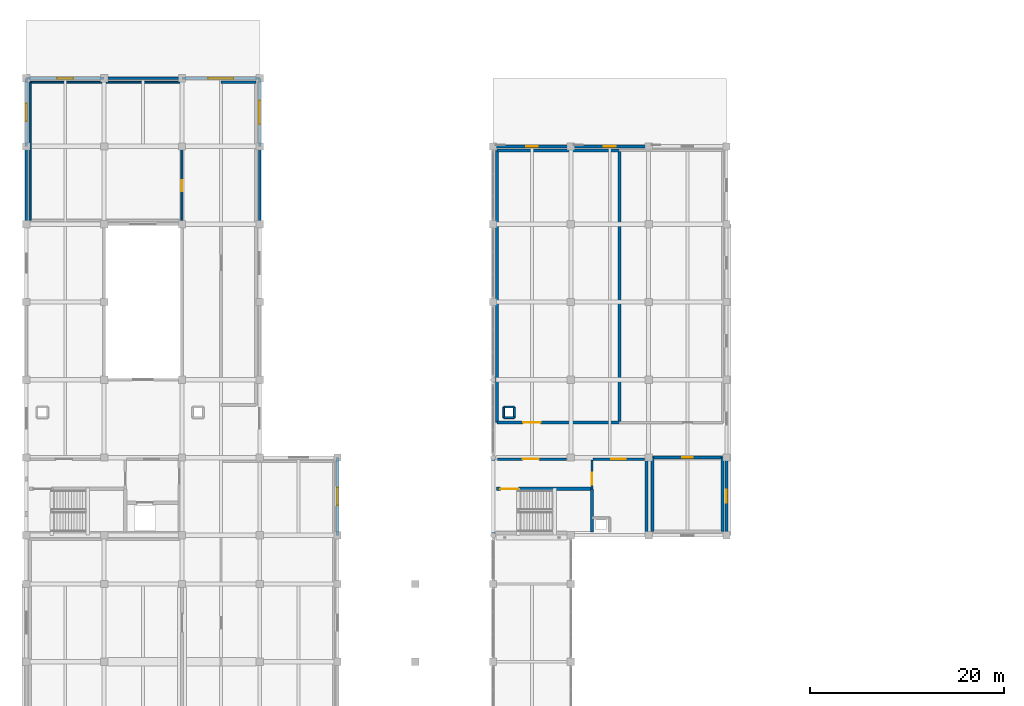
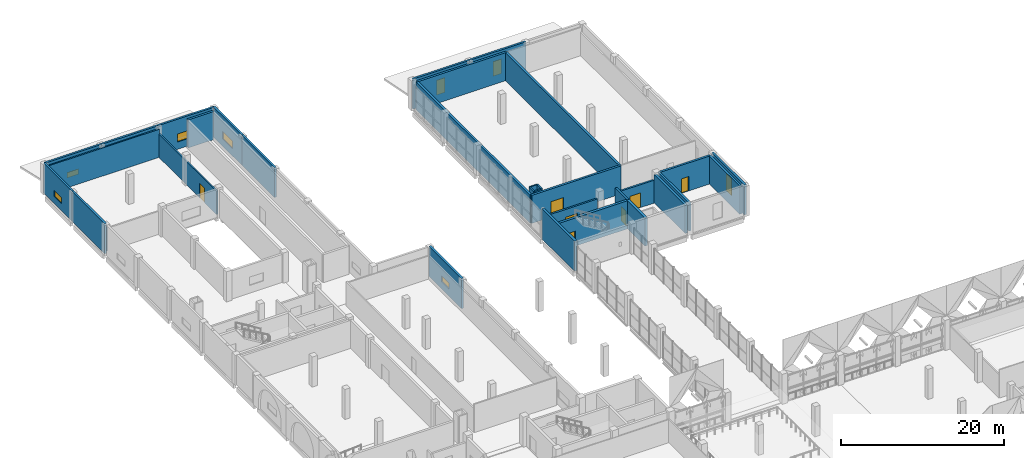
# One storey, part 33 of 53: 33 walls, 8 windows, 7 doors, 15 openings.
"""IFC4 building model written with IfcOpenShell, lengths in metres."""

from ifc_helpers import new_model, si_unit, direction, frame, frame_2d, origin, place, context, subcontext, project, spatial, rectangle, extrude, material, layer, layer_set, type_object, element, fill, save


model = new_model("IFC4")

# Units and contexts
model_context = context("Model", 3, precision=1e-05, world=origin(), true_north=direction((0.0, 1.0)))
body_context = subcontext(model_context, "Body", "Model", "MODEL_VIEW")
ifc_project = project(units=[si_unit("LENGTHUNIT", "METRE"), si_unit("AREAUNIT", "SQUARE_METRE"), si_unit("VOLUMEUNIT", "CUBIC_METRE"), si_unit("PLANEANGLEUNIT", "RADIAN"), si_unit("MASSUNIT", "GRAM", prefix="KILO")], contexts=[model_context])

# Site, building, storey
site_placement = place(None, origin())
site = spatial("IfcSite", under=ifc_project, at=site_placement, CompositionType="ELEMENT")
building_placement = place(site_placement, origin())
building = spatial("IfcBuilding", under=site, at=building_placement, Name="Qorikala Patio Media Centre", CompositionType="ELEMENT")
storey_placement = place(building_placement, frame((0.0, 0.0, 5.39990234375)))
storey = spatial("IfcBuildingStorey", under=building, at=storey_placement, Name="L01", CompositionType="ELEMENT", Elevation=5.39990234375)

# Walls
ifc_material_1 = material(Name="Concrete C35/45", Category="concrete")
ifc_layer_1 = layer(ifc_material_1, 0.300048828125)
ifc_layer_set_1 = layer_set([ifc_layer_1], Name="Concrete C35/45")
wall_type_1 = type_object("IfcWallType", Name="WL-AC-300", PredefinedType="SHEAR", material=ifc_layer_set_1)
wall_1_placement = place(storey_placement, frame((23.0, 110.60009765625, 0.0), z_axis=(0.0, 0.0, 1.0), x_axis=(1.0, 0.0, 0.0)))
element("IfcWall", 1, at=wall_1_placement, inside=storey, type_object=wall_type_1, Name="L01 Interior Wall WINT-L01-APP1-N", PredefinedType="SHEAR", context=body_context, shape_type="SweptSolid", body=[
    extrude(rectangle(XDim=3.60009765625, YDim=0.300048828125, at=frame_2d((1.800048828125, 0.0))), origin(), (0.0, 0.0, 1.0), 4.2001953125),
])
wall_2_placement = place(storey_placement, frame((74.60009765625, 64.39990234375, 0.0), z_axis=(0.0, 0.0, 1.0), x_axis=(0.0, 1.0, 0.0)))
element("IfcWall", 2, at=wall_2_placement, inside=storey, type_object=wall_type_1, Name="L01 Interior Wall WINT-L01-ADR1-E", PredefinedType="SHEAR", context=body_context, shape_type="SweptSolid", body=[
    extrude(rectangle(XDim=7.60009765625, YDim=0.300048828125, at=frame_2d((3.800048828125, 0.0))), origin(), (0.0, 0.0, 1.0), 4.2001953125),
])

# Wall, opening, door
wall_3_placement = place(storey_placement, frame((67.39990234375, 72.0, 0.0), z_axis=(0.0, 0.0, 1.0), x_axis=(1.0, 0.0, 0.0)))
wall_3 = element("IfcWall", 3, at=wall_3_placement, inside=storey, type_object=wall_type_1, Name="L01 Interior Wall WINT-L01-ADR1-N", PredefinedType="SHEAR", context=body_context, shape_type="SweptSolid", body=[
    extrude(rectangle(XDim=7.2001953125, YDim=0.300048828125, at=frame_2d((3.60009765625, 0.0))), origin(), (0.0, 0.0, 1.0), 4.2001953125),
])
opening_1_placement = place(wall_3_placement, frame((3.074951171875, 0.0, 0.0)))
opening_1 = element("IfcOpeningElement", 4, at=opening_1_placement, cuts=wall_3, Name="Opening D265", PredefinedType="OPENING", context=body_context, shape_type="SweptSolid", body=[
    extrude(rectangle(XDim=1.050048828125, YDim=2.159912109375, at=frame_2d((0.52490234375, 1.080078125))), frame((0.0, 0.159912109375, 0.0), z_axis=(0.0, -1.0, 0.0), x_axis=(1.0, 0.0, 0.0)), (0.0, 0.0, 1.0), 0.320068359375),
])
ifc_material_2 = material(Name="Acoustic Fire Timber and Steel", Category="steel")
door_type_1 = type_object("IfcDoorType", Name="DR-FD60-105X216", OperationType="NOTDEFINED", PredefinedType="DOOR", material=ifc_material_2)
door_1_placement = place(opening_1_placement, origin())
door_1 = element("IfcDoor", 5, at=door_1_placement, inside=storey, type_object=door_type_1, Name="ADR Stage 1 Door 054", OperationType="SINGLE_SWING_RIGHT", OverallHeight=2.159912109375, OverallWidth=1.050048828125, PredefinedType="DOOR", context=body_context, shape_type="SweptSolid", body=[
    extrude(rectangle(XDim=1.050048828125, YDim=2.159912109375, at=frame_2d((0.52490234375, 1.080078125))), frame((0.0, 0.02490234375, 0.0), z_axis=(0.0, -1.0, 0.0), x_axis=(1.0, 0.0, 0.0)), (0.0, 0.0, 1.0), 0.050048828125),
])
fill(opening_1, door_1)

# Wall
wall_4_placement = place(storey_placement, frame((67.39990234375, 64.39990234375, 0.0), z_axis=(0.0, 0.0, 1.0), x_axis=(0.0, 1.0, 0.0)))
element("IfcWall", 6, at=wall_4_placement, inside=storey, type_object=wall_type_1, Name="L01 Interior Wall WINT-L01-ADR1-W", PredefinedType="SHEAR", context=body_context, shape_type="SweptSolid", body=[
    extrude(rectangle(XDim=7.60009765625, YDim=0.300048828125, at=frame_2d((3.800048828125, 0.0))), origin(), (0.0, 0.0, 1.0), 4.2001953125),
])

# Wall, opening, door
wall_5_placement = place(storey_placement, frame((51.39990234375, 75.60009765625, 0.0), z_axis=(0.0, 0.0, 1.0), x_axis=(1.0, 0.0, 0.0)))
wall_5 = element("IfcWall", 7, at=wall_5_placement, inside=storey, type_object=wall_type_1, Name="L01 Interior Wall WINT-L01-REC3-S", PredefinedType="SHEAR", context=body_context, shape_type="SweptSolid", body=[
    extrude(rectangle(XDim=12.60009765625, YDim=0.300048828125, at=frame_2d((6.300048828125, 0.0))), origin(), (0.0, 0.0, 1.0), 4.2001953125),
])
opening_2_placement = place(wall_5_placement, frame((2.68603515625, 0.0, 0.0)))
opening_2 = element("IfcOpeningElement", 8, at=opening_2_placement, cuts=wall_5, Name="Opening D266", PredefinedType="OPENING", context=body_context, shape_type="SweptSolid", body=[
    extrude(rectangle(XDim=1.800048828125, YDim=2.300048828125, at=frame_2d((0.89990234375, 1.14990234375))), frame((0.0, 0.159912109375, 0.0), z_axis=(0.0, -1.0, 0.0), x_axis=(1.0, 0.0, 0.0)), (0.0, 0.0, 1.0), 0.320068359375),
])
ifc_material_3 = material(Name="Powder-Coated Acoustic Fire Steel", Category="steel")
door_type_2 = type_object("IfcDoorType", Name="DR-FD90-180X230", OperationType="DOUBLE_DOOR_SINGLE_SWING", PredefinedType="DOOR", material=ifc_material_3)
door_2_placement = place(opening_2_placement, origin())
door_2 = element("IfcDoor", 9, at=door_2_placement, inside=storey, type_object=door_type_2, Name="Ensemble Recording Studio 3 Door 055", OperationType="DOUBLE_DOOR_SINGLE_SWING", OverallHeight=2.300048828125, OverallWidth=1.800048828125, PredefinedType="DOOR", context=body_context, shape_type="SweptSolid", body=[
    extrude(rectangle(XDim=1.800048828125, YDim=2.300048828125, at=frame_2d((0.89990234375, 1.14990234375))), frame((0.0, 0.02490234375, 0.0), z_axis=(0.0, -1.0, 0.0), x_axis=(1.0, 0.0, 0.0)), (0.0, 0.0, 1.0), 0.050048828125),
])
fill(opening_2, door_2)

# Walls
wall_6_placement = place(storey_placement, frame((64.0, 75.60009765625, 0.0), z_axis=(0.0, 0.0, 1.0), x_axis=(0.0, 1.0, 0.0)))
element("IfcWall", 10, at=wall_6_placement, inside=storey, type_object=wall_type_1, Name="L01 Interior Wall WINT-L01-REC3-E", PredefinedType="SHEAR", context=body_context, shape_type="SweptSolid", body=[
    extrude(rectangle(XDim=28.0, YDim=0.300048828125, at=frame_2d((14.0, 0.0))), origin(), (0.0, 0.0, 1.0), 4.2001953125),
])
wall_7_placement = place(storey_placement, frame((51.39990234375, 103.60009765625, 0.0), z_axis=(0.0, 0.0, 1.0), x_axis=(1.0, 0.0, 0.0)))
element("IfcWall", 11, at=wall_7_placement, inside=storey, type_object=wall_type_1, Name="L01 Interior Wall WINT-L01-REC3-N", PredefinedType="SHEAR", context=body_context, shape_type="SweptSolid", body=[
    extrude(rectangle(XDim=12.60009765625, YDim=0.300048828125, at=frame_2d((6.300048828125, 0.0))), origin(), (0.0, 0.0, 1.0), 4.2001953125),
])
wall_8_placement = place(storey_placement, frame((51.39990234375, 75.60009765625, 0.0), z_axis=(0.0, 0.0, 1.0), x_axis=(0.0, 1.0, 0.0)))
element("IfcWall", 12, at=wall_8_placement, inside=storey, type_object=wall_type_1, Name="L01 Interior Wall WINT-L01-REC3-W", PredefinedType="SHEAR", context=body_context, shape_type="SweptSolid", body=[
    extrude(rectangle(XDim=28.0, YDim=0.300048828125, at=frame_2d((14.0, 0.0))), origin(), (0.0, 0.0, 1.0), 4.2001953125),
])
ifc_layer_2 = layer(ifc_material_1, 0.35009765625)
ifc_layer_set_2 = layer_set([ifc_layer_2], Name="Concrete C35/45")
wall_type_2 = type_object("IfcWallType", Name="WL-CORE-350", PredefinedType="SHEAR", material=ifc_layer_set_2)
wall_9_placement = place(storey_placement, frame((51.0, 64.0, 0.0), z_axis=(0.0, 0.0, 1.0), x_axis=(0.0, 1.0, 0.0)))
element("IfcWall", 13, at=wall_9_placement, inside=storey, type_object=wall_type_2, Name="L01 Core C6 Exterior Shear Wall", PredefinedType="SHEAR", context=body_context, shape_type="SweptSolid", body=[
    extrude(rectangle(XDim=8.0, YDim=0.35009765625, at=frame_2d((4.0, 0.0))), origin(), (0.0, 0.0, 1.0), 4.5),
])
wall_10_placement = place(storey_placement, frame((61.175048828125, 64.35009765625, 0.0), z_axis=(0.0, 0.0, 1.0), x_axis=(0.0, 1.0, 0.0)))
element("IfcWall", 14, at=wall_10_placement, inside=storey, type_object=wall_type_2, Name="L01 Interior Wall CW-L01-C6-SE", PredefinedType="SHEAR", context=body_context, shape_type="SweptSolid", body=[
    extrude(rectangle(XDim=4.4248046875, YDim=0.35009765625, at=frame_2d((2.21240234375, 0.0))), origin(), (0.0, 0.0, 1.0), 4.2001953125),
])
wall_11_placement = place(storey_placement, frame((66.77490234375, 64.199951171875, 0.0), z_axis=(0.0, 0.0, 1.0), x_axis=(0.0, 1.0, 0.0)))
element("IfcWall", 15, at=wall_11_placement, inside=storey, type_object=wall_type_2, Name="L01 Interior Wall CW-L01-C6-EE", PredefinedType="SHEAR", context=body_context, shape_type="SweptSolid", body=[
    extrude(rectangle(XDim=7.60009765625, YDim=0.35009765625, at=frame_2d((3.800048828125, 0.0))), origin(), (0.0, 0.0, 1.0), 4.2001953125),
])

# Wall, opening, door
wall_12_placement = place(storey_placement, frame((51.35009765625, 68.77490234375, 0.0), z_axis=(0.0, 0.0, 1.0), x_axis=(1.0, 0.0, 0.0)))
wall_12 = element("IfcWall", 16, at=wall_12_placement, inside=storey, type_object=wall_type_2, Name="L01 Interior Wall CW-L01-C6-SN", PredefinedType="SHEAR", context=body_context, shape_type="SweptSolid", body=[
    extrude(rectangle(XDim=9.824951171875, YDim=0.35009765625, at=frame_2d((4.91259765625, 0.0))), origin(), (0.0, 0.0, 1.0), 4.2001953125),
])
opening_3_placement = place(wall_12_placement, frame((0.39990234375, 0.0, 0.0)))
opening_3 = element("IfcOpeningElement", 17, at=opening_3_placement, cuts=wall_12, Name="Opening D184", PredefinedType="OPENING", context=body_context, shape_type="SweptSolid", body=[
    extrude(rectangle(XDim=1.85009765625, YDim=2.25, at=frame_2d((0.925048828125, 1.125))), frame((0.0, 0.18505859375, 0.0), z_axis=(0.0, -1.0, 0.0), x_axis=(1.0, 0.0, 0.0)), (0.0, 0.0, 1.0), 0.3701171875),
])
door_type_3 = type_object("IfcDoorType", Name="DR-FD60-185X225", OperationType="DOUBLE_DOOR_SINGLE_SWING", PredefinedType="DOOR", material=ifc_material_3)
door_3_placement = place(opening_3_placement, origin())
door_3 = element("IfcDoor", 18, at=door_3_placement, inside=storey, type_object=door_type_3, Name="L01 Stair ST-6 Fire Door", OperationType="DOUBLE_DOOR_SINGLE_SWING", OverallHeight=2.25, OverallWidth=1.85009765625, PredefinedType="DOOR", context=body_context, shape_type="SweptSolid", body=[
    extrude(rectangle(XDim=1.85009765625, YDim=2.25, at=frame_2d((0.925048828125, 1.125))), frame((0.0, 0.02490234375, 0.0), z_axis=(0.0, -1.0, 0.0), x_axis=(1.0, 0.0, 0.0)), (0.0, 0.0, 1.0), 0.050048828125),
])
fill(opening_3, door_3)

# Wall, opening, window
ifc_material_4 = material(Name="Ivory Lime Stucco and Concrete C35/45", Category="concrete")
ifc_layer_3 = layer(ifc_material_4, 0.320068359375)
ifc_layer_set_3 = layer_set([ifc_layer_3], Name="Ivory Lime Stucco and Concrete C35/45")
wall_type_3 = type_object("IfcWallType", Name="WL-EXT-320", PredefinedType="SOLIDWALL", material=ifc_layer_set_3)
wall_13_placement = place(storey_placement, frame((35.0, 72.0, 0.0), z_axis=(0.0, 0.0, 1.0), x_axis=(0.0, -1.0, 0.0)))
wall_13 = element("IfcWall", 19, at=wall_13_placement, inside=storey, type_object=wall_type_3, Name="L01 Exterior Wall WL-L01-EXT-0029", PredefinedType="SOLIDWALL", context=body_context, shape_type="SweptSolid", body=[
    extrude(rectangle(XDim=8.0, YDim=0.320068359375, at=frame_2d((4.0, 0.0))), origin(), (0.0, 0.0, 1.0), 4.5),
])
opening_4_placement = place(wall_13_placement, frame((3.10009765625, 0.0, 1.10009765625)))
opening_4 = element("IfcOpeningElement", 20, at=opening_4_placement, cuts=wall_13, Name="Opening WL-180", PredefinedType="OPENING", context=body_context, shape_type="SweptSolid", body=[
    extrude(rectangle(XDim=1.800048828125, YDim=0.85009765625, at=frame_2d((0.89990234375, 0.425048828125))), frame((0.0, 0.169921875, 0.0), z_axis=(0.0, -1.0, 0.0), x_axis=(1.0, 0.0, 0.0)), (0.0, 0.0, 1.0), 0.340087890625),
])
ifc_material_5 = material(Name="Acoustic Laminated Low-E Glass", Category="glass")
window_type_1 = type_object("IfcWindowType", Name="WN-CL-180X085", PartitioningType="SINGLE_PANEL", PredefinedType="WINDOW", material=ifc_material_5)
window_1_placement = place(opening_4_placement, origin())
window_1 = element("IfcWindow", 21, at=window_1_placement, inside=storey, type_object=window_type_1, Name="L01 High Acoustic Clerestory Window 0083", OverallHeight=0.85009765625, OverallWidth=1.800048828125, PartitioningType="SINGLE_PANEL", PredefinedType="WINDOW", context=body_context, shape_type="SweptSolid", body=[
    extrude(rectangle(XDim=1.800048828125, YDim=0.85009765625, at=frame_2d((0.89990234375, 0.425048828125))), frame((0.0, 0.030029296875, 0.0), z_axis=(0.0, -1.0, 0.0), x_axis=(1.0, 0.0, 0.0)), (0.0, 0.0, 1.0), 0.06005859375),
])
fill(opening_4, window_1)

# Wall, opening, door
ifc_layer_4 = layer(ifc_material_1, 0.25)
ifc_layer_set_4 = layer_set([ifc_layer_4], Name="Concrete C35/45")
wall_type_4 = type_object("IfcWallType", Name="WL-FFL-250", PredefinedType="PARTITIONING", material=ifc_layer_set_4)
wall_14_placement = place(storey_placement, frame((61.175048828125, 68.77490234375, 0.0), z_axis=(0.0, 0.0, 1.0), x_axis=(0.0, 1.0, 0.0)))
wall_14 = element("IfcWall", 22, at=wall_14_placement, inside=storey, type_object=wall_type_4, Name="L01 Interior Wall CW-L01-C6-LBD", PredefinedType="PARTITIONING", context=body_context, shape_type="SweptSolid", body=[
    extrude(rectangle(XDim=2.97509765625, YDim=0.25, at=frame_2d((1.487548828125, 0.0))), origin(), (0.0, 0.0, 1.0), 4.2001953125),
])
opening_5_placement = place(wall_14_placement, frame((0.449951171875, 0.0, 0.0)))
opening_5 = element("IfcOpeningElement", 23, at=opening_5_placement, cuts=wall_14, Name="Opening D185", PredefinedType="OPENING", context=body_context, shape_type="SweptSolid", body=[
    extrude(rectangle(XDim=1.199951171875, YDim=2.199951171875, at=frame_2d((0.60009765625, 1.10009765625))), frame((0.0, 0.135009765625, 0.0), z_axis=(0.0, -1.0, 0.0), x_axis=(1.0, 0.0, 0.0)), (0.0, 0.0, 1.0), 0.27001953125),
])
door_type_4 = type_object("IfcDoorType", Name="DR-FD60-120X220", OperationType="NOTDEFINED", PredefinedType="DOOR", material=ifc_material_2)
door_4_placement = place(opening_5_placement, origin())
door_4 = element("IfcDoor", 24, at=door_4_placement, inside=storey, type_object=door_type_4, Name="L01 Core C6 Firefighting Lobby Cross Door", OperationType="SINGLE_SWING_LEFT", OverallHeight=2.199951171875, OverallWidth=1.199951171875, PredefinedType="DOOR", context=body_context, shape_type="SweptSolid", body=[
    extrude(rectangle(XDim=1.199951171875, YDim=2.199951171875, at=frame_2d((0.60009765625, 1.10009765625))), frame((0.0, 0.02490234375, 0.0), z_axis=(0.0, -1.0, 0.0), x_axis=(1.0, 0.0, 0.0)), (0.0, 0.0, 1.0), 0.050048828125),
])
fill(opening_5, door_4)

wall_15_placement = place(storey_placement, frame((51.449951171875, 71.85009765625, 0.0), z_axis=(0.0, 0.0, 1.0), x_axis=(1.0, 0.0, 0.0)))
wall_15 = element("IfcWall", 25, at=wall_15_placement, inside=storey, type_object=wall_type_4, Name="L01 Interior Wall CW-L01-C6-CN1", PredefinedType="PARTITIONING", context=body_context, shape_type="SweptSolid", body=[
    extrude(rectangle(XDim=7.10009765625, YDim=0.25, at=frame_2d((3.550048828125, 0.0))), origin(), (0.0, 0.0, 1.0), 3.43505859375),
])
opening_6_placement = place(wall_15_placement, frame((2.60009765625, 0.0, 0.0)))
opening_6 = element("IfcOpeningElement", 26, at=opening_6_placement, cuts=wall_15, Name="Opening D186", PredefinedType="OPENING", context=body_context, shape_type="SweptSolid", body=[
    extrude(rectangle(XDim=1.64990234375, YDim=2.25, at=frame_2d((0.824951171875, 1.125))), frame((0.0, 0.135009765625, 0.0), z_axis=(0.0, -1.0, 0.0), x_axis=(1.0, 0.0, 0.0)), (0.0, 0.0, 1.0), 0.27001953125),
])
door_type_5 = type_object("IfcDoorType", Name="DR-FD60-165X225", OperationType="DOUBLE_DOOR_SINGLE_SWING", PredefinedType="DOOR", material=ifc_material_3)
door_5_placement = place(opening_6_placement, frame((1.64990234375, 0.0, 0.0), z_axis=(0.0, 0.0, 1.0), x_axis=(-1.0, 0.0, 0.0)))
door_5 = element("IfcDoor", 27, at=door_5_placement, inside=storey, type_object=door_type_5, Name="L01 Core C6 Vestibule Door", OperationType="DOUBLE_DOOR_SINGLE_SWING", OverallHeight=2.25, OverallWidth=1.64990234375, PredefinedType="DOOR", context=body_context, shape_type="SweptSolid", body=[
    extrude(rectangle(XDim=1.64990234375, YDim=2.25, at=frame_2d((0.824951171875, 1.125))), frame((0.0, 0.02490234375, 0.0), z_axis=(0.0, -1.0, 0.0), x_axis=(1.0, 0.0, 0.0)), (0.0, 0.0, 1.0), 0.050048828125),
])
fill(opening_6, door_5)

wall_16_placement = place(storey_placement, frame((61.300048828125, 71.85009765625, 0.0), z_axis=(0.0, 0.0, 1.0), x_axis=(1.0, 0.0, 0.0)))
wall_16 = element("IfcWall", 28, at=wall_16_placement, inside=storey, type_object=wall_type_4, Name="L01 Interior Wall CW-L01-C6-CN2", PredefinedType="PARTITIONING", context=body_context, shape_type="SweptSolid", body=[
    extrude(rectangle(XDim=5.25, YDim=0.25, at=frame_2d((2.625, 0.0))), origin(), (0.0, 0.0, 1.0), 3.43505859375),
])
opening_7_placement = place(wall_16_placement, frame((1.85009765625, 0.0, 0.0)))
opening_7 = element("IfcOpeningElement", 29, at=opening_7_placement, cuts=wall_16, Name="Opening D187", PredefinedType="OPENING", context=body_context, shape_type="SweptSolid", body=[
    extrude(rectangle(XDim=1.5, YDim=2.199951171875, at=frame_2d((0.75, 1.10009765625))), frame((0.0, 0.135009765625, 0.0), z_axis=(0.0, -1.0, 0.0), x_axis=(1.0, 0.0, 0.0)), (0.0, 0.0, 1.0), 0.27001953125),
])
door_type_6 = type_object("IfcDoorType", Name="DR-FD60-150X220", OperationType="DOUBLE_DOOR_SINGLE_SWING", PredefinedType="DOOR", material=ifc_material_3)
door_6_placement = place(opening_7_placement, origin())
door_6 = element("IfcDoor", 30, at=door_6_placement, inside=storey, type_object=door_type_6, Name="L01 Core C6 Firefighting Lobby Door", OperationType="DOUBLE_DOOR_SINGLE_SWING", OverallHeight=2.199951171875, OverallWidth=1.5, PredefinedType="DOOR", context=body_context, shape_type="SweptSolid", body=[
    extrude(rectangle(XDim=1.5, YDim=2.199951171875, at=frame_2d((0.75, 1.10009765625))), frame((0.0, 0.02490234375, 0.0), z_axis=(0.0, -1.0, 0.0), x_axis=(1.0, 0.0, 0.0)), (0.0, 0.0, 1.0), 0.050048828125),
])
fill(opening_7, door_6)

# Wall
ifc_material_6 = material(Name="Warm Ochre Lime Stucco and Concrete C35/45", Category="concrete")
ifc_layer_5 = layer(ifc_material_6, 0.280029296875)
ifc_layer_set_5 = layer_set([ifc_layer_5], Name="Warm Ochre Lime Stucco and Concrete C35/45")
wall_type_5 = type_object("IfcWallType", Name="WL-OCHRE-280", PredefinedType="SOLIDWALL", material=ifc_layer_set_5)
wall_17_placement = place(storey_placement, frame((3.0, 96.0, 0.0), z_axis=(0.0, 0.0, 1.0), x_axis=(0.0, 1.0, 0.0)))
element("IfcWall", 31, at=wall_17_placement, inside=storey, type_object=wall_type_5, Name="L01 Exterior Wall WL-L01-EXT-0018", PredefinedType="SOLIDWALL", context=body_context, shape_type="SweptSolid", body=[
    extrude(rectangle(XDim=8.0, YDim=0.280029296875, at=frame_2d((4.0, 0.0))), origin(), (0.0, 0.0, 1.0), 4.5),
])

# Wall, opening, window
wall_18_placement = place(storey_placement, frame((3.0, 104.0, 0.0), z_axis=(0.0, 0.0, 1.0), x_axis=(0.0, 1.0, 0.0)))
wall_18 = element("IfcWall", 32, at=wall_18_placement, inside=storey, type_object=wall_type_5, Name="L01 Exterior Wall WL-L01-EXT-0019", PredefinedType="SOLIDWALL", context=body_context, shape_type="SweptSolid", body=[
    extrude(rectangle(XDim=7.0, YDim=0.280029296875, at=frame_2d((3.5, 0.0))), origin(), (0.0, 0.0, 1.0), 4.5),
])
opening_8_placement = place(wall_18_placement, frame((2.60009765625, 0.0, 1.10009765625)))
opening_8 = element("IfcOpeningElement", 33, at=opening_8_placement, cuts=wall_18, Name="Opening WL-180", PredefinedType="OPENING", context=body_context, shape_type="SweptSolid", body=[
    extrude(rectangle(XDim=1.800048828125, YDim=0.85009765625, at=frame_2d((0.89990234375, 0.425048828125))), frame((0.0, 0.14990234375, 0.0), z_axis=(0.0, -1.0, 0.0), x_axis=(1.0, 0.0, 0.0)), (0.0, 0.0, 1.0), 0.300048828125),
])
window_2_placement = place(opening_8_placement, origin())
window_2 = element("IfcWindow", 34, at=window_2_placement, inside=storey, type_object=window_type_1, Name="L01 High Acoustic Clerestory Window 0076", OverallHeight=0.85009765625, OverallWidth=1.800048828125, PartitioningType="SINGLE_PANEL", PredefinedType="WINDOW", context=body_context, shape_type="SweptSolid", body=[
    extrude(rectangle(XDim=1.800048828125, YDim=0.85009765625, at=frame_2d((0.89990234375, 0.425048828125))), frame((0.0, 0.030029296875, 0.0), z_axis=(0.0, -1.0, 0.0), x_axis=(1.0, 0.0, 0.0)), (0.0, 0.0, 1.0), 0.06005859375),
])
fill(opening_8, window_2)

wall_19_placement = place(storey_placement, frame((3.0, 111.0, 0.0), z_axis=(0.0, 0.0, 1.0), x_axis=(1.0, 0.0, 0.0)))
wall_19 = element("IfcWall", 35, at=wall_19_placement, inside=storey, type_object=wall_type_5, Name="L01 Exterior Wall WL-L01-EXT-0020", PredefinedType="SOLIDWALL", context=body_context, shape_type="SweptSolid", body=[
    extrude(rectangle(XDim=8.0, YDim=0.280029296875, at=frame_2d((4.0, 0.0))), origin(), (0.0, 0.0, 1.0), 4.5),
])
opening_9_placement = place(wall_19_placement, frame((3.175048828125, 0.0, 1.10009765625)))
opening_9 = element("IfcOpeningElement", 36, at=opening_9_placement, cuts=wall_19, Name="Opening WL-165", PredefinedType="OPENING", context=body_context, shape_type="SweptSolid", body=[
    extrude(rectangle(XDim=1.64990234375, YDim=0.800048828125, at=frame_2d((0.824951171875, 0.39990234375))), frame((0.0, 0.14990234375, 0.0), z_axis=(0.0, -1.0, 0.0), x_axis=(1.0, 0.0, 0.0)), (0.0, 0.0, 1.0), 0.300048828125),
])
window_type_2 = type_object("IfcWindowType", Name="WN-CL-165X080", PartitioningType="SINGLE_PANEL", PredefinedType="WINDOW", material=ifc_material_5)
window_3_placement = place(opening_9_placement, origin())
window_3 = element("IfcWindow", 37, at=window_3_placement, inside=storey, type_object=window_type_2, Name="L01 High Acoustic Clerestory Window 0077", OverallHeight=0.800048828125, OverallWidth=1.64990234375, PartitioningType="SINGLE_PANEL", PredefinedType="WINDOW", context=body_context, shape_type="SweptSolid", body=[
    extrude(rectangle(XDim=1.64990234375, YDim=0.800048828125, at=frame_2d((0.824951171875, 0.39990234375))), frame((0.0, 0.030029296875, 0.0), z_axis=(0.0, -1.0, 0.0), x_axis=(1.0, 0.0, 0.0)), (0.0, 0.0, 1.0), 0.06005859375),
])
fill(opening_9, window_3)

# Wall
wall_20_placement = place(storey_placement, frame((11.0, 111.0, 0.0), z_axis=(0.0, 0.0, 1.0), x_axis=(1.0, 0.0, 0.0)))
element("IfcWall", 38, at=wall_20_placement, inside=storey, type_object=wall_type_5, Name="L01 Exterior Wall WL-L01-EXT-0021", PredefinedType="SOLIDWALL", context=body_context, shape_type="SweptSolid", body=[
    extrude(rectangle(XDim=8.0, YDim=0.280029296875, at=frame_2d((4.0, 0.0))), origin(), (0.0, 0.0, 1.0), 4.5),
])

# Wall, opening, window
wall_21_placement = place(storey_placement, frame((19.0, 111.0, 0.0), z_axis=(0.0, 0.0, 1.0), x_axis=(1.0, 0.0, 0.0)))
wall_21 = element("IfcWall", 39, at=wall_21_placement, inside=storey, type_object=wall_type_5, Name="L01 Exterior Wall WL-L01-EXT-0022", PredefinedType="SOLIDWALL", context=body_context, shape_type="SweptSolid", body=[
    extrude(rectangle(XDim=8.0, YDim=0.280029296875, at=frame_2d((4.0, 0.0))), origin(), (0.0, 0.0, 1.0), 4.5),
])
opening_10_placement = place(wall_21_placement, frame((2.699951171875, 0.0, 1.10009765625)))
opening_10 = element("IfcOpeningElement", 40, at=opening_10_placement, cuts=wall_21, Name="Opening WL-260", PredefinedType="OPENING", context=body_context, shape_type="SweptSolid", body=[
    extrude(rectangle(XDim=2.60009765625, YDim=1.199951171875, at=frame_2d((1.300048828125, 0.60009765625))), frame((0.0, 0.14990234375, 0.0), z_axis=(0.0, -1.0, 0.0), x_axis=(1.0, 0.0, 0.0)), (0.0, 0.0, 1.0), 0.300048828125),
])
window_type_3 = type_object("IfcWindowType", Name="WN-CL-260X120", PartitioningType="SINGLE_PANEL", PredefinedType="WINDOW", material=ifc_material_5)
window_4_placement = place(opening_10_placement, origin())
window_4 = element("IfcWindow", 41, at=window_4_placement, inside=storey, type_object=window_type_3, Name="L01 High Acoustic Clerestory Window 0078", OverallHeight=1.199951171875, OverallWidth=2.60009765625, PartitioningType="SINGLE_PANEL", PredefinedType="WINDOW", context=body_context, shape_type="SweptSolid", body=[
    extrude(rectangle(XDim=2.60009765625, YDim=1.199951171875, at=frame_2d((1.300048828125, 0.60009765625))), frame((0.0, 0.030029296875, 0.0), z_axis=(0.0, -1.0, 0.0), x_axis=(1.0, 0.0, 0.0)), (0.0, 0.0, 1.0), 0.06005859375),
])
fill(opening_10, window_4)

wall_22_placement = place(storey_placement, frame((27.0, 111.0, 0.0), z_axis=(0.0, 0.0, 1.0), x_axis=(0.0, -1.0, 0.0)))
wall_22 = element("IfcWall", 42, at=wall_22_placement, inside=storey, type_object=wall_type_5, Name="L01 Exterior Wall WL-L01-EXT-0023", PredefinedType="SOLIDWALL", context=body_context, shape_type="SweptSolid", body=[
    extrude(rectangle(XDim=7.0, YDim=0.280029296875, at=frame_2d((3.5, 0.0))), origin(), (0.0, 0.0, 1.0), 4.5),
])
opening_11_placement = place(wall_22_placement, frame((2.300048828125, 0.0, 1.10009765625)))
opening_11 = element("IfcOpeningElement", 43, at=opening_11_placement, cuts=wall_22, Name="Opening WL-240", PredefinedType="OPENING", context=body_context, shape_type="SweptSolid", body=[
    extrude(rectangle(XDim=2.39990234375, YDim=1.10009765625, at=frame_2d((1.199951171875, 0.550048828125))), frame((0.0, 0.14990234375, 0.0), z_axis=(0.0, -1.0, 0.0), x_axis=(1.0, 0.0, 0.0)), (0.0, 0.0, 1.0), 0.300048828125),
])
window_type_4 = type_object("IfcWindowType", Name="WN-CL-240X110", PartitioningType="SINGLE_PANEL", PredefinedType="WINDOW", material=ifc_material_5)
window_5_placement = place(opening_11_placement, origin())
window_5 = element("IfcWindow", 44, at=window_5_placement, inside=storey, type_object=window_type_4, Name="L01 High Acoustic Clerestory Window 0079", OverallHeight=1.10009765625, OverallWidth=2.39990234375, PartitioningType="SINGLE_PANEL", PredefinedType="WINDOW", context=body_context, shape_type="SweptSolid", body=[
    extrude(rectangle(XDim=2.39990234375, YDim=1.10009765625, at=frame_2d((1.199951171875, 0.550048828125))), frame((0.0, 0.030029296875, 0.0), z_axis=(0.0, -1.0, 0.0), x_axis=(1.0, 0.0, 0.0)), (0.0, 0.0, 1.0), 0.06005859375),
])
fill(opening_11, window_5)

# Wall
wall_23_placement = place(storey_placement, frame((27.0, 104.0, 0.0), z_axis=(0.0, 0.0, 1.0), x_axis=(0.0, -1.0, 0.0)))
element("IfcWall", 45, at=wall_23_placement, inside=storey, type_object=wall_type_5, Name="L01 Exterior Wall WL-L01-EXT-0024", PredefinedType="SOLIDWALL", context=body_context, shape_type="SweptSolid", body=[
    extrude(rectangle(XDim=8.0, YDim=0.280029296875, at=frame_2d((4.0, 0.0))), origin(), (0.0, 0.0, 1.0), 4.5),
])

# Wall, opening, window
wall_24_placement = place(storey_placement, frame((51.0, 104.0, 0.0), z_axis=(0.0, 0.0, 1.0), x_axis=(1.0, 0.0, 0.0)))
wall_24 = element("IfcWall", 46, at=wall_24_placement, inside=storey, type_object=wall_type_5, Name="L01 Exterior Wall WL-L01-EXT-0037", PredefinedType="SOLIDWALL", context=body_context, shape_type="SweptSolid", body=[
    extrude(rectangle(XDim=8.0, YDim=0.280029296875, at=frame_2d((4.0, 0.0))), origin(), (0.0, 0.0, 1.0), 4.5),
])
opening_12_placement = place(wall_24_placement, frame((3.39990234375, 0.0, 0.85009765625)))
opening_12 = element("IfcOpeningElement", 47, at=opening_12_placement, cuts=wall_24, Name="Opening WC-120", PredefinedType="OPENING", context=body_context, shape_type="SweptSolid", body=[
    extrude(rectangle(XDim=1.199951171875, YDim=2.199951171875, at=frame_2d((0.60009765625, 1.10009765625))), frame((0.0, 0.14990234375, 0.0), z_axis=(0.0, -1.0, 0.0), x_axis=(1.0, 0.0, 0.0)), (0.0, 0.0, 1.0), 0.300048828125),
])
ifc_material_7 = material(Name="Bronze Anodised Aluminium and Low-E Glass", Category="aluminium")
window_type_5 = type_object("IfcWindowType", Name="WN-COL-120X220", PartitioningType="SINGLE_PANEL", PredefinedType="WINDOW", material=ifc_material_7)
window_6_placement = place(opening_12_placement, origin())
window_6 = element("IfcWindow", 48, at=window_6_placement, inside=storey, type_object=window_type_5, Name="L01 Colonial Tall Window 0086", OverallHeight=2.199951171875, OverallWidth=1.199951171875, PartitioningType="SINGLE_PANEL", PredefinedType="WINDOW", context=body_context, shape_type="SweptSolid", body=[
    extrude(rectangle(XDim=1.199951171875, YDim=2.199951171875, at=frame_2d((0.60009765625, 1.10009765625))), frame((0.0, 0.030029296875, 0.0), z_axis=(0.0, -1.0, 0.0), x_axis=(1.0, 0.0, 0.0)), (0.0, 0.0, 1.0), 0.06005859375),
])
fill(opening_12, window_6)

wall_25_placement = place(storey_placement, frame((59.0, 104.0, 0.0), z_axis=(0.0, 0.0, 1.0), x_axis=(1.0, 0.0, 0.0)))
wall_25 = element("IfcWall", 49, at=wall_25_placement, inside=storey, type_object=wall_type_5, Name="L01 Exterior Wall WL-L01-EXT-0038", PredefinedType="SOLIDWALL", context=body_context, shape_type="SweptSolid", body=[
    extrude(rectangle(XDim=8.0, YDim=0.280029296875, at=frame_2d((4.0, 0.0))), origin(), (0.0, 0.0, 1.0), 4.5),
])
opening_13_placement = place(wall_25_placement, frame((3.39990234375, 0.0, 0.85009765625)))
opening_13 = element("IfcOpeningElement", 50, at=opening_13_placement, cuts=wall_25, Name="Opening WC-120", PredefinedType="OPENING", context=body_context, shape_type="SweptSolid", body=[
    extrude(rectangle(XDim=1.199951171875, YDim=2.199951171875, at=frame_2d((0.60009765625, 1.10009765625))), frame((0.0, 0.14990234375, 0.0), z_axis=(0.0, -1.0, 0.0), x_axis=(1.0, 0.0, 0.0)), (0.0, 0.0, 1.0), 0.300048828125),
])
window_7_placement = place(opening_13_placement, origin())
window_7 = element("IfcWindow", 51, at=window_7_placement, inside=storey, type_object=window_type_5, Name="L01 Colonial Tall Window 0087", OverallHeight=2.199951171875, OverallWidth=1.199951171875, PartitioningType="SINGLE_PANEL", PredefinedType="WINDOW", context=body_context, shape_type="SweptSolid", body=[
    extrude(rectangle(XDim=1.199951171875, YDim=2.199951171875, at=frame_2d((0.60009765625, 1.10009765625))), frame((0.0, 0.030029296875, 0.0), z_axis=(0.0, -1.0, 0.0), x_axis=(1.0, 0.0, 0.0)), (0.0, 0.0, 1.0), 0.06005859375),
])
fill(opening_13, window_7)

wall_26_placement = place(storey_placement, frame((75.0, 72.0, 0.0), z_axis=(0.0, 0.0, 1.0), x_axis=(0.0, -1.0, 0.0)))
wall_26 = element("IfcWall", 52, at=wall_26_placement, inside=storey, type_object=wall_type_5, Name="L01 Exterior Wall WL-L01-EXT-0044", PredefinedType="SOLIDWALL", context=body_context, shape_type="SweptSolid", body=[
    extrude(rectangle(XDim=8.0, YDim=0.280029296875, at=frame_2d((4.0, 0.0))), origin(), (0.0, 0.0, 1.0), 4.5),
])
opening_14_placement = place(wall_26_placement, frame((3.330078125, 0.0, 0.85009765625)))
opening_14 = element("IfcOpeningElement", 53, at=opening_14_placement, cuts=wall_26, Name="Opening WC-134", PredefinedType="OPENING", context=body_context, shape_type="SweptSolid", body=[
    extrude(rectangle(XDim=1.340087890625, YDim=2.5, at=frame_2d((0.669921875, 1.25))), frame((0.0, 0.14990234375, 0.0), z_axis=(0.0, -1.0, 0.0), x_axis=(1.0, 0.0, 0.0)), (0.0, 0.0, 1.0), 0.300048828125),
])
window_type_6 = type_object("IfcWindowType", Name="WN-COL-134X250", PartitioningType="SINGLE_PANEL", PredefinedType="WINDOW", material=ifc_material_7)
window_8_placement = place(opening_14_placement, origin())
window_8 = element("IfcWindow", 54, at=window_8_placement, inside=storey, type_object=window_type_6, Name="L01 Colonial Tall Window 0093", OverallHeight=2.5, OverallWidth=1.340087890625, PartitioningType="SINGLE_PANEL", PredefinedType="WINDOW", context=body_context, shape_type="SweptSolid", body=[
    extrude(rectangle(XDim=1.340087890625, YDim=2.5, at=frame_2d((0.669921875, 1.25))), frame((0.0, 0.030029296875, 0.0), z_axis=(0.0, -1.0, 0.0), x_axis=(1.0, 0.0, 0.0)), (0.0, 0.0, 1.0), 0.06005859375),
])
fill(opening_14, window_8)

# Wall, opening, door
ifc_material_8 = material(Name="Acoustic Masonry and Plaster Concrete C30/37", Category="masonry")
ifc_layer_6 = layer(ifc_material_8, 0.199951171875)
ifc_layer_set_6 = layer_set([ifc_layer_6], Name="Acoustic Masonry and Plaster Concrete C30/37")
wall_type_6 = type_object("IfcWallType", Name="WL-ST-200", PredefinedType="PARTITIONING", material=ifc_layer_set_6)
wall_27_placement = place(storey_placement, frame((19.0, 96.39990234375, 0.0), z_axis=(0.0, 0.0, 1.0), x_axis=(0.0, 1.0, 0.0)))
wall_27 = element("IfcWall", 55, at=wall_27_placement, inside=storey, type_object=wall_type_6, Name="L01 Interior Wall WINT-L01-BGL1-E", PredefinedType="PARTITIONING", context=body_context, shape_type="SweptSolid", body=[
    extrude(rectangle(XDim=14.2001953125, YDim=0.199951171875, at=frame_2d((7.10009765625, 0.0))), origin(), (0.0, 0.0, 1.0), 3.485107421875),
])
opening_15_placement = place(wall_27_placement, frame((2.9951171875, 0.0, 0.0)))
opening_15 = element("IfcOpeningElement", 56, at=opening_15_placement, cuts=wall_27, Name="Opening D263", PredefinedType="OPENING", context=body_context, shape_type="SweptSolid", body=[
    extrude(rectangle(XDim=1.14990234375, YDim=2.179931640625, at=frame_2d((0.574951171875, 1.08984375))), frame((0.0, 0.10986328125, 0.0), z_axis=(0.0, -1.0, 0.0), x_axis=(1.0, 0.0, 0.0)), (0.0, 0.0, 1.0), 0.219970703125),
])
door_type_7 = type_object("IfcDoorType", Name="DR-FD60-115X218", OperationType="NOTDEFINED", PredefinedType="DOOR", material=ifc_material_2)
door_7_placement = place(opening_15_placement, origin())
door_7 = element("IfcDoor", 57, at=door_7_placement, inside=storey, type_object=door_type_7, Name="Broadcast Studio 1 Lighting Control Gallery Door 052", OperationType="SINGLE_SWING_LEFT", OverallHeight=2.179931640625, OverallWidth=1.14990234375, PredefinedType="DOOR", context=body_context, shape_type="SweptSolid", body=[
    extrude(rectangle(XDim=1.14990234375, YDim=2.179931640625, at=frame_2d((0.574951171875, 1.08984375))), frame((0.0, 0.02490234375, 0.0), z_axis=(0.0, -1.0, 0.0), x_axis=(1.0, 0.0, 0.0)), (0.0, 0.0, 1.0), 0.050048828125),
])
fill(opening_15, door_7)

# Walls
wall_28_placement = place(storey_placement, frame((3.39990234375, 110.60009765625, 0.0), z_axis=(0.0, 0.0, 1.0), x_axis=(1.0, 0.0, 0.0)))
element("IfcWall", 58, at=wall_28_placement, inside=storey, type_object=wall_type_6, Name="L01 Interior Wall WINT-L01-BGL1-N", PredefinedType="PARTITIONING", context=body_context, shape_type="SweptSolid", body=[
    extrude(rectangle(XDim=15.60009765625, YDim=0.199951171875, at=frame_2d((7.800048828125, 0.0))), origin(), (0.0, 0.0, 1.0), 4.2001953125),
])
wall_29_placement = place(storey_placement, frame((3.39990234375, 96.39990234375, 0.0), z_axis=(0.0, 0.0, 1.0), x_axis=(0.0, 1.0, 0.0)))
element("IfcWall", 59, at=wall_29_placement, inside=storey, type_object=wall_type_6, Name="L01 Interior Wall WINT-L01-BGL1-W", PredefinedType="PARTITIONING", context=body_context, shape_type="SweptSolid", body=[
    extrude(rectangle(XDim=14.2001953125, YDim=0.199951171875, at=frame_2d((7.10009765625, 0.0))), origin(), (0.0, 0.0, 1.0), 3.505126953125),
])
for number, where, z_axis, x_axis, name in (
    (60, (52.10009765625, 76.10009765625, 0.0), (0.0, 0.0, 1.0), (1.0, 0.0, 0.0), "L01 Interior Wall RSW-7-L01-S"),
    (61, (52.10009765625, 77.199951171875, 0.0), (0.0, 0.0, 1.0), (1.0, 0.0, 0.0), "L01 Interior Wall RSW-7-L01-N"),
    (62, (52.10009765625, 76.10009765625, 0.0), (0.0, 0.0, 1.0), (0.0, 1.0, 0.0), "L01 Interior Wall RSW-7-L01-W"),
    (63, (53.199951171875, 76.10009765625, 0.0), (0.0, 0.0, 1.0), (0.0, 1.0, 0.0), "L01 Interior Wall RSW-7-L01-E"),
):
    element("IfcWall", number, at=place(storey_placement, frame(where, z_axis=z_axis, x_axis=x_axis)), inside=storey, type_object=wall_type_6, Name=name, PredefinedType="PARTITIONING", context=body_context, shape_type="SweptSolid", body=[
        extrude(rectangle(XDim=1.099853515625, YDim=0.199951171875, at=frame_2d((0.5498046875, 0.0))), origin(), (0.0, 0.0, 1.0), 4.2001953125),
    ])

save(model, "model.ifc")
